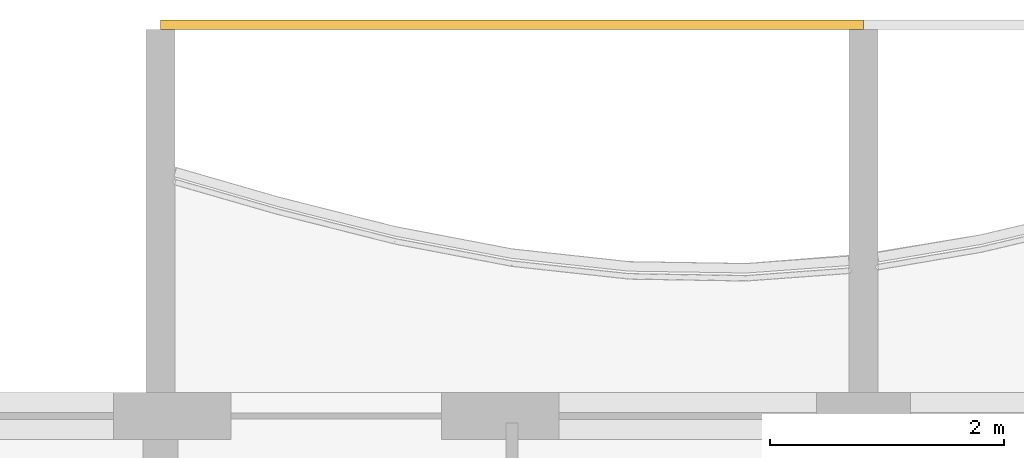
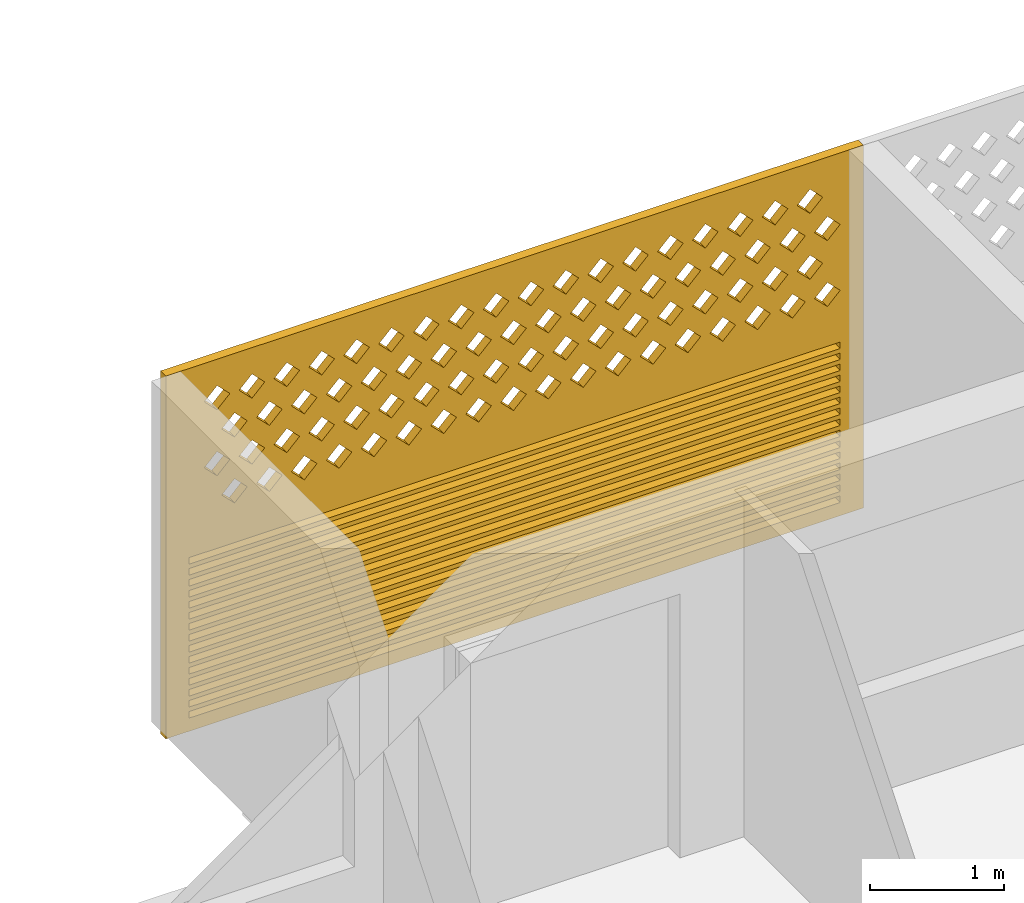
# One storey, part 21 of 33: 1 covering.
"""IFC4 building model written with IfcOpenShell, lengths in metres."""

import ifcopenshell
import ifcopenshell.guid

model = None  # the IFC model being written
_history = None  # IfcOwnerHistory: only IFC2X3 demands one
_inside = {}  # id of a spatial element -> (the spatial element, [elements in it])
_under = {}  # id of a project, library or spatial element -> (it, [spatial elements below it])
_declared = {}  # id of a project -> (the project, [libraries it declares])
_typed = {}  # id of a type object -> (the type object, [elements of that type])
_made_of = {}  # id of a material, layer set ... -> (it, [elements and type objects made of it])


def new_model(schema):
    """Start an empty IFC model of exactly this schema.

    Asked for "IFC4X3", IfcOpenShell would pick the latest addendum, in which some entities
    have other attributes; the version numbers below select the first issue.
    IFC2X3 requires an IfcOwnerHistory on every rooted entity: one is made here for all.
    """
    global model, _history
    if schema == "IFC4X3":
        model = ifcopenshell.file(schema_version=(4, 3, 0, 0))
    else:
        model = ifcopenshell.file(schema=schema)
    _inside.clear()
    _under.clear()
    _declared.clear()
    _typed.clear()
    _made_of.clear()
    _history = None
    if model.schema == "IFC2X3":
        org = make("IfcOrganization", Name="unknown")
        user = make(
            "IfcPersonAndOrganization",
            ThePerson=make("IfcPerson", FamilyName="unknown"),
            TheOrganization=org,
        )
        app = make(
            "IfcApplication",
            ApplicationDeveloper=org,
            Version="unknown",
            ApplicationFullName="unknown",
            ApplicationIdentifier="unknown",
        )
        _history = make(
            "IfcOwnerHistory",
            OwningUser=user,
            OwningApplication=app,
            ChangeAction="ADDED",
            CreationDate=0,
        )
    return model


def make(cls, **values):
    """One entity of the class cls with the attributes given. An attribute that is None is left unset."""
    return model.create_entity(
        cls, **{name: value for name, value in values.items() if value is not None}
    )


def rooted(cls, **values):
    """An entity with a GlobalId (a new one), such as an element, a storey or a relation."""
    return make(cls, GlobalId=ifcopenshell.guid.new(), OwnerHistory=_history, **values)


def si_unit(unit_type, name, prefix=None):
    """IfcSIUnit, for example si_unit("LENGTHUNIT", "METRE", prefix="MILLI")."""
    return make("IfcSIUnit", UnitType=unit_type, Prefix=prefix, Name=name)


def assignment(units):
    """IfcUnitAssignment: the units of a project."""
    return None if units is None else make("IfcUnitAssignment", Units=units)


def point(xyz):
    """IfcCartesianPoint."""
    return None if xyz is None else make("IfcCartesianPoint", Coordinates=xyz)


def direction(xyz):
    """IfcDirection."""
    return None if xyz is None else make("IfcDirection", DirectionRatios=xyz)


def frame(location, z_axis=None, x_axis=None):
    """IfcAxis2Placement3D, a coordinate frame: its origin and axes. An axis left out is left unset."""
    return make(
        "IfcAxis2Placement3D",
        Location=point(location),
        Axis=direction(z_axis),
        RefDirection=direction(x_axis),
    )


def origin():
    """The frame at (0, 0, 0) with its axes left unset."""
    return frame((0.0, 0.0, 0.0))


def place(relative_to, where):
    """IfcLocalPlacement: puts the frame where relative to a parent placement (None: the world)."""
    return make(
        "IfcLocalPlacement", PlacementRelTo=relative_to, RelativePlacement=where
    )


def context(
    kind, dimensions, precision=None, world=None, true_north=None, identifier=None
):
    """IfcGeometricRepresentationContext, for example the 3D "Model" context."""
    return make(
        "IfcGeometricRepresentationContext",
        ContextIdentifier=identifier,
        ContextType=kind,
        CoordinateSpaceDimension=dimensions,
        Precision=precision,
        WorldCoordinateSystem=world,
        TrueNorth=true_north,
    )


def subcontext(parent, identifier, kind, view, scale=None):
    """IfcGeometricRepresentationSubContext, for example "Body" below "Model"."""
    return make(
        "IfcGeometricRepresentationSubContext",
        ContextIdentifier=identifier,
        ContextType=kind,
        ParentContext=parent,
        TargetScale=scale,
        TargetView=view,
    )


def project(units=None, contexts=None):
    """IfcProject with its units and contexts."""
    return rooted(
        "IfcProject",
        Name="project",
        RepresentationContexts=contexts,
        UnitsInContext=assignment(units),
    )


def spatial(cls, under=None, at=None, **own):
    """A site, building, storey or space (cls), placed at a placement, below another one or the project."""
    s = rooted(cls, ObjectPlacement=at, **own)
    if under is not None:
        _under.setdefault(under.id(), (under, []))[1].append(s)
    return s


def polyline(points):
    """IfcPolyline through the points."""
    return make("IfcPolyline", Points=[point(p) for p in points])


def outline(outer, holes=None, kind="AREA"):
    """IfcArbitraryClosedProfileDef: a profile drawn as a closed curve; with holes, ...WithVoids."""
    if holes is None:
        return make("IfcArbitraryClosedProfileDef", ProfileType=kind, OuterCurve=outer)
    return make(
        "IfcArbitraryProfileDefWithVoids",
        ProfileType=kind,
        OuterCurve=outer,
        InnerCurves=holes,
    )


def extrude(swept, where, along, depth):
    """IfcExtrudedAreaSolid: the profile swept, set in the frame where, extruded along a direction by depth."""
    return make(
        "IfcExtrudedAreaSolid",
        SweptArea=swept,
        Position=where,
        ExtrudedDirection=direction(along),
        Depth=depth,
    )


def shape(context_of_items, identifier, shape_type, items):
    """IfcShapeRepresentation: the items that make up one representation, for example the "Body"."""
    return make(
        "IfcShapeRepresentation",
        ContextOfItems=context_of_items,
        RepresentationIdentifier=identifier,
        RepresentationType=shape_type,
        Items=items,
    )


def source(mapping_origin, context_of_items, identifier, shape_type, items):
    """IfcRepresentationMap: a shape defined once, which mapped items show again and again."""
    return make(
        "IfcRepresentationMap",
        MappingOrigin=mapping_origin,
        MappedRepresentation=shape(context_of_items, identifier, shape_type, items),
    )


def transform(
    local_origin,
    x_axis=None,
    y_axis=None,
    z_axis=None,
    scale=None,
    scale2=None,
    scale3=None,
    uniform=True,
):
    """IfcCartesianTransformationOperator3D, or its non-uniform kind. x_axis, y_axis, z_axis: its Axis1, 2, 3."""
    if uniform:
        return make(
            "IfcCartesianTransformationOperator3D",
            Axis1=direction(x_axis),
            Axis2=direction(y_axis),
            LocalOrigin=point(local_origin),
            Scale=scale,
            Axis3=direction(z_axis),
        )
    return make(
        "IfcCartesianTransformationOperator3DnonUniform",
        Axis1=direction(x_axis),
        Axis2=direction(y_axis),
        LocalOrigin=point(local_origin),
        Scale=scale,
        Axis3=direction(z_axis),
        Scale2=scale2,
        Scale3=scale3,
    )


def mapped(mapping_source, mapping_target):
    """IfcMappedItem: shows the shape of a source again, moved by a transform."""
    return make(
        "IfcMappedItem", MappingSource=mapping_source, MappingTarget=mapping_target
    )


def material(Name=None, Category=None):
    """IfcMaterial."""
    return make("IfcMaterial", Name=Name, Category=Category)


def material_profile(
    of_material, cross_section, Name=None, Category=None, Priority=None
):
    """IfcMaterialProfile: a cross section and its material."""
    return make(
        "IfcMaterialProfile",
        Name=Name,
        Material=of_material,
        Profile=cross_section,
        Priority=Priority,
        Category=Category,
    )


def profile_set(profiles, Name=None, composite=None):
    """IfcMaterialProfileSet."""
    return make(
        "IfcMaterialProfileSet",
        Name=Name,
        MaterialProfiles=profiles,
        CompositeProfile=composite,
    )


def made_of(thing, what):
    """Note that an element or type object is made of a material, layer set ...; save() writes the relation."""
    if what is not None:
        _made_of.setdefault(what.id(), (what, []))[1].append(thing)
    return thing


def type_object(cls, material=None, **own):
    """A type object (cls), such as IfcWallType, which elements share."""
    return made_of(rooted(cls, **own), material)


def element(
    cls,
    number,
    at=None,
    inside=None,
    cuts=None,
    type_object=None,
    material=None,
    context=None,
    identifier="Body",
    shape_type=None,
    held_by="IfcProductDefinitionShape",
    body=None,
    shapes=None,
    **own,
):
    """One element of the class cls, such as IfcWall. Its Tag is "e" and its number.

    at: its placement. inside: the storey or other place that contains it. cuts: it is an
    opening in that element (IfcRelVoidsElement). A single representation is given by context,
    identifier, shape_type and body (its items); several are given by shapes. held_by: the class
    of the entity that holds the representations. save() writes the other relations.
    """
    e = rooted(cls, Tag="e%d" % number, ObjectPlacement=at, **own)
    if body is not None:
        shapes = [shape(context, identifier, shape_type, body)]
    if shapes is not None:
        e.Representation = make(held_by, Representations=shapes)
    if inside is not None:
        _inside.setdefault(inside.id(), (inside, []))[1].append(e)
    if cuts is not None:
        rooted(
            "IfcRelVoidsElement", RelatingBuildingElement=cuts, RelatedOpeningElement=e
        )
    if type_object is not None:
        _typed.setdefault(type_object.id(), (type_object, []))[1].append(e)
    return made_of(e, material)


def aggregate(whole, parts):
    """IfcRelAggregates: a whole, such as a stair, and the parts it consists of."""
    return rooted("IfcRelAggregates", RelatingObject=whole, RelatedObjects=parts)


def save(model, path):
    """Write the relations noted so far, then the file.

    IfcRelAggregates (storeys below a building ...), IfcRelContainedInSpatialStructure (elements
    in a storey), IfcRelDefinesByType, IfcRelAssociatesMaterial and IfcRelDeclares: one each for
    every whole, place, type object, material and project.
    """
    for whole, parts in _under.values():
        aggregate(whole, parts)
    for where, things in _inside.values():
        rooted(
            "IfcRelContainedInSpatialStructure",
            RelatedElements=things,
            RelatingStructure=where,
        )
    for kind, things in _typed.values():
        rooted("IfcRelDefinesByType", RelatedObjects=things, RelatingType=kind)
    for what, things in _made_of.values():
        rooted("IfcRelAssociatesMaterial", RelatedObjects=things, RelatingMaterial=what)
    for by, libraries in _declared.values():
        rooted("IfcRelDeclares", RelatingContext=by, RelatedDefinitions=libraries)
    model.write(path)


model = new_model("IFC4")

# Units and contexts
model_context = context("Model", 3, precision=1e-05, world=origin(), true_north=direction((0.0, 1.0)))
body_context = subcontext(model_context, "Body", "Model", "MODEL_VIEW")
ifc_project = project(units=[si_unit("LENGTHUNIT", "METRE"), si_unit("AREAUNIT", "SQUARE_METRE"), si_unit("VOLUMEUNIT", "CUBIC_METRE"), si_unit("PLANEANGLEUNIT", "RADIAN"), si_unit("MASSUNIT", "GRAM", prefix="KILO")], contexts=[model_context])

# Site, building, storey
site_placement = place(None, origin())
site = spatial("IfcSite", under=ifc_project, at=site_placement, CompositionType="ELEMENT")
building_placement = place(site_placement, origin())
building = spatial("IfcBuilding", under=site, at=building_placement, Name="Poui Terraces", CompositionType="ELEMENT")
storey_placement = place(building_placement, frame((0.0, 0.0, 138.89990234375)))
storey = spatial("IfcBuildingStorey", under=building, at=storey_placement, Name="L38", CompositionType="ELEMENT", Elevation=138.89990234375)

# Covering
ifc_material = material(Name="Terracotta screen", Category="masonry")
ifc_material_profile = material_profile(ifc_material, outline(polyline([(-3.0, -1.64990234375), (3.0, -1.64990234375), (3.0, 1.64990234375), (-3.0, 1.64990234375), (-3.0, -1.64990234375)]), holes=[polyline([(-2.800048828125, 0.39990234375), (-2.68994140625, 0.2900390625), (-2.580078125, 0.39990234375), (-2.68994140625, 0.510009765625), (-2.800048828125, 0.39990234375)]), polyline([(-2.5, 0.39990234375), (-2.389892578125, 0.2900390625), (-2.280029296875, 0.39990234375), (-2.389892578125, 0.510009765625), (-2.5, 0.39990234375)]), polyline([(-2.199951171875, 0.39990234375), (-2.090087890625, 0.2900390625), (-1.97998046875, 0.39990234375), (-2.090087890625, 0.510009765625), (-2.199951171875, 0.39990234375)]), polyline([(-1.89990234375, 0.39990234375), (-1.7900390625, 0.2900390625), (-1.679931640625, 0.39990234375), (-1.7900390625, 0.510009765625), (-1.89990234375, 0.39990234375)]), polyline([(-1.60009765625, 0.39990234375), (-1.489990234375, 0.2900390625), (-1.3798828125, 0.39990234375), (-1.489990234375, 0.510009765625), (-1.60009765625, 0.39990234375)]), polyline([(-1.300048828125, 0.39990234375), (-1.18994140625, 0.2900390625), (-1.080078125, 0.39990234375), (-1.18994140625, 0.510009765625), (-1.300048828125, 0.39990234375)]), polyline([(-1.0, 0.39990234375), (-0.889892578125, 0.2900390625), (-0.780029296875, 0.39990234375), (-0.889892578125, 0.510009765625), (-1.0, 0.39990234375)]), polyline([(-0.699951171875, 0.39990234375), (-0.590087890625, 0.2900390625), (-0.47998046875, 0.39990234375), (-0.590087890625, 0.510009765625), (-0.699951171875, 0.39990234375)]), polyline([(-0.39990234375, 0.39990234375), (-0.2900390625, 0.2900390625), (-0.179931640625, 0.39990234375), (-0.2900390625, 0.510009765625), (-0.39990234375, 0.39990234375)]), polyline([(-0.10009765625, 0.39990234375), (0.010009765625, 0.2900390625), (0.1201171875, 0.39990234375), (0.010009765625, 0.510009765625), (-0.10009765625, 0.39990234375)]), polyline([(0.199951171875, 0.39990234375), (0.31005859375, 0.2900390625), (0.419921875, 0.39990234375), (0.31005859375, 0.510009765625), (0.199951171875, 0.39990234375)]), polyline([(0.5, 0.39990234375), (0.610107421875, 0.2900390625), (0.719970703125, 0.39990234375), (0.610107421875, 0.510009765625), (0.5, 0.39990234375)]), polyline([(0.800048828125, 0.39990234375), (0.909912109375, 0.2900390625), (1.02001953125, 0.39990234375), (0.909912109375, 0.510009765625), (0.800048828125, 0.39990234375)]), polyline([(1.10009765625, 0.39990234375), (1.2099609375, 0.2900390625), (1.320068359375, 0.39990234375), (1.2099609375, 0.510009765625), (1.10009765625, 0.39990234375)]), polyline([(1.39990234375, 0.39990234375), (1.510009765625, 0.2900390625), (1.6201171875, 0.39990234375), (1.510009765625, 0.510009765625), (1.39990234375, 0.39990234375)]), polyline([(1.699951171875, 0.39990234375), (1.81005859375, 0.2900390625), (1.919921875, 0.39990234375), (1.81005859375, 0.510009765625), (1.699951171875, 0.39990234375)]), polyline([(2.0, 0.39990234375), (2.110107421875, 0.2900390625), (2.219970703125, 0.39990234375), (2.110107421875, 0.510009765625), (2.0, 0.39990234375)]), polyline([(2.300048828125, 0.39990234375), (2.409912109375, 0.2900390625), (2.52001953125, 0.39990234375), (2.409912109375, 0.510009765625), (2.300048828125, 0.39990234375)]), polyline([(-2.64990234375, 0.699951171875), (-2.5400390625, 0.590087890625), (-2.429931640625, 0.699951171875), (-2.5400390625, 0.81005859375), (-2.64990234375, 0.699951171875)]), polyline([(-2.35009765625, 0.699951171875), (-2.239990234375, 0.590087890625), (-2.1298828125, 0.699951171875), (-2.239990234375, 0.81005859375), (-2.35009765625, 0.699951171875)]), polyline([(-2.050048828125, 0.699951171875), (-1.93994140625, 0.590087890625), (-1.830078125, 0.699951171875), (-1.93994140625, 0.81005859375), (-2.050048828125, 0.699951171875)]), polyline([(-1.75, 0.699951171875), (-1.639892578125, 0.590087890625), (-1.530029296875, 0.699951171875), (-1.639892578125, 0.81005859375), (-1.75, 0.699951171875)]), polyline([(-1.449951171875, 0.699951171875), (-1.340087890625, 0.590087890625), (-1.22998046875, 0.699951171875), (-1.340087890625, 0.81005859375), (-1.449951171875, 0.699951171875)]), polyline([(-1.14990234375, 0.699951171875), (-1.0400390625, 0.590087890625), (-0.929931640625, 0.699951171875), (-1.0400390625, 0.81005859375), (-1.14990234375, 0.699951171875)]), polyline([(-0.85009765625, 0.699951171875), (-0.739990234375, 0.590087890625), (-0.6298828125, 0.699951171875), (-0.739990234375, 0.81005859375), (-0.85009765625, 0.699951171875)]), polyline([(-0.550048828125, 0.699951171875), (-0.43994140625, 0.590087890625), (-0.330078125, 0.699951171875), (-0.43994140625, 0.81005859375), (-0.550048828125, 0.699951171875)]), polyline([(-0.25, 0.699951171875), (-0.139892578125, 0.590087890625), (-0.030029296875, 0.699951171875), (-0.139892578125, 0.81005859375), (-0.25, 0.699951171875)]), polyline([(0.050048828125, 0.699951171875), (0.159912109375, 0.590087890625), (0.27001953125, 0.699951171875), (0.159912109375, 0.81005859375), (0.050048828125, 0.699951171875)]), polyline([(0.35009765625, 0.699951171875), (0.4599609375, 0.590087890625), (0.570068359375, 0.699951171875), (0.4599609375, 0.81005859375), (0.35009765625, 0.699951171875)]), polyline([(0.64990234375, 0.699951171875), (0.760009765625, 0.590087890625), (0.8701171875, 0.699951171875), (0.760009765625, 0.81005859375), (0.64990234375, 0.699951171875)]), polyline([(0.949951171875, 0.699951171875), (1.06005859375, 0.590087890625), (1.169921875, 0.699951171875), (1.06005859375, 0.81005859375), (0.949951171875, 0.699951171875)]), polyline([(1.25, 0.699951171875), (1.360107421875, 0.590087890625), (1.469970703125, 0.699951171875), (1.360107421875, 0.81005859375), (1.25, 0.699951171875)]), polyline([(1.550048828125, 0.699951171875), (1.659912109375, 0.590087890625), (1.77001953125, 0.699951171875), (1.659912109375, 0.81005859375), (1.550048828125, 0.699951171875)]), polyline([(1.85009765625, 0.699951171875), (1.9599609375, 0.590087890625), (2.070068359375, 0.699951171875), (1.9599609375, 0.81005859375), (1.85009765625, 0.699951171875)]), polyline([(2.14990234375, 0.699951171875), (2.260009765625, 0.590087890625), (2.3701171875, 0.699951171875), (2.260009765625, 0.81005859375), (2.14990234375, 0.699951171875)]), polyline([(2.449951171875, 0.699951171875), (2.56005859375, 0.590087890625), (2.669921875, 0.699951171875), (2.56005859375, 0.81005859375), (2.449951171875, 0.699951171875)]), polyline([(-2.800048828125, 1.0), (-2.68994140625, 0.889892578125), (-2.580078125, 1.0), (-2.68994140625, 1.110107421875), (-2.800048828125, 1.0)]), polyline([(-2.5, 1.0), (-2.389892578125, 0.889892578125), (-2.280029296875, 1.0), (-2.389892578125, 1.110107421875), (-2.5, 1.0)]), polyline([(-2.199951171875, 1.0), (-2.090087890625, 0.889892578125), (-1.97998046875, 1.0), (-2.090087890625, 1.110107421875), (-2.199951171875, 1.0)]), polyline([(-1.89990234375, 1.0), (-1.7900390625, 0.889892578125), (-1.679931640625, 1.0), (-1.7900390625, 1.110107421875), (-1.89990234375, 1.0)]), polyline([(-1.60009765625, 1.0), (-1.489990234375, 0.889892578125), (-1.3798828125, 1.0), (-1.489990234375, 1.110107421875), (-1.60009765625, 1.0)]), polyline([(-1.300048828125, 1.0), (-1.18994140625, 0.889892578125), (-1.080078125, 1.0), (-1.18994140625, 1.110107421875), (-1.300048828125, 1.0)]), polyline([(-1.0, 1.0), (-0.889892578125, 0.889892578125), (-0.780029296875, 1.0), (-0.889892578125, 1.110107421875), (-1.0, 1.0)]), polyline([(-0.699951171875, 1.0), (-0.590087890625, 0.889892578125), (-0.47998046875, 1.0), (-0.590087890625, 1.110107421875), (-0.699951171875, 1.0)]), polyline([(-0.39990234375, 1.0), (-0.2900390625, 0.889892578125), (-0.179931640625, 1.0), (-0.2900390625, 1.110107421875), (-0.39990234375, 1.0)]), polyline([(-0.10009765625, 1.0), (0.010009765625, 0.889892578125), (0.1201171875, 1.0), (0.010009765625, 1.110107421875), (-0.10009765625, 1.0)]), polyline([(0.199951171875, 1.0), (0.31005859375, 0.889892578125), (0.419921875, 1.0), (0.31005859375, 1.110107421875), (0.199951171875, 1.0)]), polyline([(0.5, 1.0), (0.610107421875, 0.889892578125), (0.719970703125, 1.0), (0.610107421875, 1.110107421875), (0.5, 1.0)]), polyline([(0.800048828125, 1.0), (0.909912109375, 0.889892578125), (1.02001953125, 1.0), (0.909912109375, 1.110107421875), (0.800048828125, 1.0)]), polyline([(1.10009765625, 1.0), (1.2099609375, 0.889892578125), (1.320068359375, 1.0), (1.2099609375, 1.110107421875), (1.10009765625, 1.0)]), polyline([(1.39990234375, 1.0), (1.510009765625, 0.889892578125), (1.6201171875, 1.0), (1.510009765625, 1.110107421875), (1.39990234375, 1.0)]), polyline([(1.699951171875, 1.0), (1.81005859375, 0.889892578125), (1.919921875, 1.0), (1.81005859375, 1.110107421875), (1.699951171875, 1.0)]), polyline([(2.0, 1.0), (2.110107421875, 0.889892578125), (2.219970703125, 1.0), (2.110107421875, 1.110107421875), (2.0, 1.0)]), polyline([(2.300048828125, 1.0), (2.409912109375, 0.889892578125), (2.52001953125, 1.0), (2.409912109375, 1.110107421875), (2.300048828125, 1.0)]), polyline([(-2.64990234375, 1.300048828125), (-2.5400390625, 1.18994140625), (-2.429931640625, 1.300048828125), (-2.5400390625, 1.409912109375), (-2.64990234375, 1.300048828125)]), polyline([(-2.35009765625, 1.300048828125), (-2.239990234375, 1.18994140625), (-2.1298828125, 1.300048828125), (-2.239990234375, 1.409912109375), (-2.35009765625, 1.300048828125)]), polyline([(-2.050048828125, 1.300048828125), (-1.93994140625, 1.18994140625), (-1.830078125, 1.300048828125), (-1.93994140625, 1.409912109375), (-2.050048828125, 1.300048828125)]), polyline([(-1.75, 1.300048828125), (-1.639892578125, 1.18994140625), (-1.530029296875, 1.300048828125), (-1.639892578125, 1.409912109375), (-1.75, 1.300048828125)]), polyline([(-1.449951171875, 1.300048828125), (-1.340087890625, 1.18994140625), (-1.22998046875, 1.300048828125), (-1.340087890625, 1.409912109375), (-1.449951171875, 1.300048828125)]), polyline([(-1.14990234375, 1.300048828125), (-1.0400390625, 1.18994140625), (-0.929931640625, 1.300048828125), (-1.0400390625, 1.409912109375), (-1.14990234375, 1.300048828125)]), polyline([(-0.85009765625, 1.300048828125), (-0.739990234375, 1.18994140625), (-0.6298828125, 1.300048828125), (-0.739990234375, 1.409912109375), (-0.85009765625, 1.300048828125)]), polyline([(-0.550048828125, 1.300048828125), (-0.43994140625, 1.18994140625), (-0.330078125, 1.300048828125), (-0.43994140625, 1.409912109375), (-0.550048828125, 1.300048828125)]), polyline([(-0.25, 1.300048828125), (-0.139892578125, 1.18994140625), (-0.030029296875, 1.300048828125), (-0.139892578125, 1.409912109375), (-0.25, 1.300048828125)]), polyline([(0.050048828125, 1.300048828125), (0.159912109375, 1.18994140625), (0.27001953125, 1.300048828125), (0.159912109375, 1.409912109375), (0.050048828125, 1.300048828125)]), polyline([(0.35009765625, 1.300048828125), (0.4599609375, 1.18994140625), (0.570068359375, 1.300048828125), (0.4599609375, 1.409912109375), (0.35009765625, 1.300048828125)]), polyline([(0.64990234375, 1.300048828125), (0.760009765625, 1.18994140625), (0.8701171875, 1.300048828125), (0.760009765625, 1.409912109375), (0.64990234375, 1.300048828125)]), polyline([(0.949951171875, 1.300048828125), (1.06005859375, 1.18994140625), (1.169921875, 1.300048828125), (1.06005859375, 1.409912109375), (0.949951171875, 1.300048828125)]), polyline([(1.25, 1.300048828125), (1.360107421875, 1.18994140625), (1.469970703125, 1.300048828125), (1.360107421875, 1.409912109375), (1.25, 1.300048828125)]), polyline([(1.550048828125, 1.300048828125), (1.659912109375, 1.18994140625), (1.77001953125, 1.300048828125), (1.659912109375, 1.409912109375), (1.550048828125, 1.300048828125)]), polyline([(1.85009765625, 1.300048828125), (1.9599609375, 1.18994140625), (2.070068359375, 1.300048828125), (1.9599609375, 1.409912109375), (1.85009765625, 1.300048828125)]), polyline([(2.14990234375, 1.300048828125), (2.260009765625, 1.18994140625), (2.3701171875, 1.300048828125), (2.260009765625, 1.409912109375), (2.14990234375, 1.300048828125)]), polyline([(2.449951171875, 1.300048828125), (2.56005859375, 1.18994140625), (2.669921875, 1.300048828125), (2.56005859375, 1.409912109375), (2.449951171875, 1.300048828125)]), polyline([(-2.800048828125, -1.530029296875), (2.800048828125, -1.530029296875), (2.800048828125, -1.469970703125), (-2.800048828125, -1.469970703125), (-2.800048828125, -1.530029296875)]), polyline([(-2.800048828125, -1.429931640625), (2.800048828125, -1.429931640625), (2.800048828125, -1.3701171875), (-2.800048828125, -1.3701171875), (-2.800048828125, -1.429931640625)]), polyline([(-2.800048828125, -1.330078125), (2.800048828125, -1.330078125), (2.800048828125, -1.27001953125), (-2.800048828125, -1.27001953125), (-2.800048828125, -1.330078125)]), polyline([(-2.800048828125, -1.22998046875), (2.800048828125, -1.22998046875), (2.800048828125, -1.169921875), (-2.800048828125, -1.169921875), (-2.800048828125, -1.22998046875)]), polyline([(-2.800048828125, -1.1298828125), (2.800048828125, -1.1298828125), (2.800048828125, -1.070068359375), (-2.800048828125, -1.070068359375), (-2.800048828125, -1.1298828125)]), polyline([(-2.800048828125, -1.030029296875), (2.800048828125, -1.030029296875), (2.800048828125, -0.969970703125), (-2.800048828125, -0.969970703125), (-2.800048828125, -1.030029296875)]), polyline([(-2.800048828125, -0.929931640625), (2.800048828125, -0.929931640625), (2.800048828125, -0.8701171875), (-2.800048828125, -0.8701171875), (-2.800048828125, -0.929931640625)]), polyline([(-2.800048828125, -0.830078125), (2.800048828125, -0.830078125), (2.800048828125, -0.77001953125), (-2.800048828125, -0.77001953125), (-2.800048828125, -0.830078125)]), polyline([(-2.800048828125, -0.72998046875), (2.800048828125, -0.72998046875), (2.800048828125, -0.669921875), (-2.800048828125, -0.669921875), (-2.800048828125, -0.72998046875)]), polyline([(-2.800048828125, -0.6298828125), (2.800048828125, -0.6298828125), (2.800048828125, -0.570068359375), (-2.800048828125, -0.570068359375), (-2.800048828125, -0.6298828125)]), polyline([(-2.800048828125, -0.530029296875), (2.800048828125, -0.530029296875), (2.800048828125, -0.469970703125), (-2.800048828125, -0.469970703125), (-2.800048828125, -0.530029296875)]), polyline([(-2.800048828125, -0.429931640625), (2.800048828125, -0.429931640625), (2.800048828125, -0.3701171875), (-2.800048828125, -0.3701171875), (-2.800048828125, -0.429931640625)]), polyline([(-2.800048828125, -0.330078125), (2.800048828125, -0.330078125), (2.800048828125, -0.27001953125), (-2.800048828125, -0.27001953125), (-2.800048828125, -0.330078125)]), polyline([(-2.800048828125, -0.22998046875), (2.800048828125, -0.22998046875), (2.800048828125, -0.169921875), (-2.800048828125, -0.169921875), (-2.800048828125, -0.22998046875)]), polyline([(-2.800048828125, -0.1298828125), (2.800048828125, -0.1298828125), (2.800048828125, -0.070068359375), (-2.800048828125, -0.070068359375), (-2.800048828125, -0.1298828125)])]), Name="TERRACOTTA SCREEN AND JALOUSIE LOUVRE 6000X3300")
ifc_profile_set = profile_set([ifc_material_profile], Name="Terracotta screen")
covering_type = type_object("IfcCoveringType", Name="TERRACOTTA SCREEN AND JALOUSIE LOUVRE 6000X3300", PredefinedType="CLADDING", material=ifc_profile_set)
shared_shape = source(origin(), body_context, "Body", "SweptSolid", [
    extrude(outline(polyline([(-3.0, -1.64990234375), (3.0, -1.64990234375), (3.0, 1.64990234375), (-3.0, 1.64990234375), (-3.0, -1.64990234375)]), holes=[polyline([(-2.800048828125, 0.39990234375), (-2.68994140625, 0.2900390625), (-2.580078125, 0.39990234375), (-2.68994140625, 0.510009765625), (-2.800048828125, 0.39990234375)]), polyline([(-2.5, 0.39990234375), (-2.389892578125, 0.2900390625), (-2.280029296875, 0.39990234375), (-2.389892578125, 0.510009765625), (-2.5, 0.39990234375)]), polyline([(-2.199951171875, 0.39990234375), (-2.090087890625, 0.2900390625), (-1.97998046875, 0.39990234375), (-2.090087890625, 0.510009765625), (-2.199951171875, 0.39990234375)]), polyline([(-1.89990234375, 0.39990234375), (-1.7900390625, 0.2900390625), (-1.679931640625, 0.39990234375), (-1.7900390625, 0.510009765625), (-1.89990234375, 0.39990234375)]), polyline([(-1.60009765625, 0.39990234375), (-1.489990234375, 0.2900390625), (-1.3798828125, 0.39990234375), (-1.489990234375, 0.510009765625), (-1.60009765625, 0.39990234375)]), polyline([(-1.300048828125, 0.39990234375), (-1.18994140625, 0.2900390625), (-1.080078125, 0.39990234375), (-1.18994140625, 0.510009765625), (-1.300048828125, 0.39990234375)]), polyline([(-1.0, 0.39990234375), (-0.889892578125, 0.2900390625), (-0.780029296875, 0.39990234375), (-0.889892578125, 0.510009765625), (-1.0, 0.39990234375)]), polyline([(-0.699951171875, 0.39990234375), (-0.590087890625, 0.2900390625), (-0.47998046875, 0.39990234375), (-0.590087890625, 0.510009765625), (-0.699951171875, 0.39990234375)]), polyline([(-0.39990234375, 0.39990234375), (-0.2900390625, 0.2900390625), (-0.179931640625, 0.39990234375), (-0.2900390625, 0.510009765625), (-0.39990234375, 0.39990234375)]), polyline([(-0.10009765625, 0.39990234375), (0.010009765625, 0.2900390625), (0.1201171875, 0.39990234375), (0.010009765625, 0.510009765625), (-0.10009765625, 0.39990234375)]), polyline([(0.199951171875, 0.39990234375), (0.31005859375, 0.2900390625), (0.419921875, 0.39990234375), (0.31005859375, 0.510009765625), (0.199951171875, 0.39990234375)]), polyline([(0.5, 0.39990234375), (0.610107421875, 0.2900390625), (0.719970703125, 0.39990234375), (0.610107421875, 0.510009765625), (0.5, 0.39990234375)]), polyline([(0.800048828125, 0.39990234375), (0.909912109375, 0.2900390625), (1.02001953125, 0.39990234375), (0.909912109375, 0.510009765625), (0.800048828125, 0.39990234375)]), polyline([(1.10009765625, 0.39990234375), (1.2099609375, 0.2900390625), (1.320068359375, 0.39990234375), (1.2099609375, 0.510009765625), (1.10009765625, 0.39990234375)]), polyline([(1.39990234375, 0.39990234375), (1.510009765625, 0.2900390625), (1.6201171875, 0.39990234375), (1.510009765625, 0.510009765625), (1.39990234375, 0.39990234375)]), polyline([(1.699951171875, 0.39990234375), (1.81005859375, 0.2900390625), (1.919921875, 0.39990234375), (1.81005859375, 0.510009765625), (1.699951171875, 0.39990234375)]), polyline([(2.0, 0.39990234375), (2.110107421875, 0.2900390625), (2.219970703125, 0.39990234375), (2.110107421875, 0.510009765625), (2.0, 0.39990234375)]), polyline([(2.300048828125, 0.39990234375), (2.409912109375, 0.2900390625), (2.52001953125, 0.39990234375), (2.409912109375, 0.510009765625), (2.300048828125, 0.39990234375)]), polyline([(-2.64990234375, 0.699951171875), (-2.5400390625, 0.590087890625), (-2.429931640625, 0.699951171875), (-2.5400390625, 0.81005859375), (-2.64990234375, 0.699951171875)]), polyline([(-2.35009765625, 0.699951171875), (-2.239990234375, 0.590087890625), (-2.1298828125, 0.699951171875), (-2.239990234375, 0.81005859375), (-2.35009765625, 0.699951171875)]), polyline([(-2.050048828125, 0.699951171875), (-1.93994140625, 0.590087890625), (-1.830078125, 0.699951171875), (-1.93994140625, 0.81005859375), (-2.050048828125, 0.699951171875)]), polyline([(-1.75, 0.699951171875), (-1.639892578125, 0.590087890625), (-1.530029296875, 0.699951171875), (-1.639892578125, 0.81005859375), (-1.75, 0.699951171875)]), polyline([(-1.449951171875, 0.699951171875), (-1.340087890625, 0.590087890625), (-1.22998046875, 0.699951171875), (-1.340087890625, 0.81005859375), (-1.449951171875, 0.699951171875)]), polyline([(-1.14990234375, 0.699951171875), (-1.0400390625, 0.590087890625), (-0.929931640625, 0.699951171875), (-1.0400390625, 0.81005859375), (-1.14990234375, 0.699951171875)]), polyline([(-0.85009765625, 0.699951171875), (-0.739990234375, 0.590087890625), (-0.6298828125, 0.699951171875), (-0.739990234375, 0.81005859375), (-0.85009765625, 0.699951171875)]), polyline([(-0.550048828125, 0.699951171875), (-0.43994140625, 0.590087890625), (-0.330078125, 0.699951171875), (-0.43994140625, 0.81005859375), (-0.550048828125, 0.699951171875)]), polyline([(-0.25, 0.699951171875), (-0.139892578125, 0.590087890625), (-0.030029296875, 0.699951171875), (-0.139892578125, 0.81005859375), (-0.25, 0.699951171875)]), polyline([(0.050048828125, 0.699951171875), (0.159912109375, 0.590087890625), (0.27001953125, 0.699951171875), (0.159912109375, 0.81005859375), (0.050048828125, 0.699951171875)]), polyline([(0.35009765625, 0.699951171875), (0.4599609375, 0.590087890625), (0.570068359375, 0.699951171875), (0.4599609375, 0.81005859375), (0.35009765625, 0.699951171875)]), polyline([(0.64990234375, 0.699951171875), (0.760009765625, 0.590087890625), (0.8701171875, 0.699951171875), (0.760009765625, 0.81005859375), (0.64990234375, 0.699951171875)]), polyline([(0.949951171875, 0.699951171875), (1.06005859375, 0.590087890625), (1.169921875, 0.699951171875), (1.06005859375, 0.81005859375), (0.949951171875, 0.699951171875)]), polyline([(1.25, 0.699951171875), (1.360107421875, 0.590087890625), (1.469970703125, 0.699951171875), (1.360107421875, 0.81005859375), (1.25, 0.699951171875)]), polyline([(1.550048828125, 0.699951171875), (1.659912109375, 0.590087890625), (1.77001953125, 0.699951171875), (1.659912109375, 0.81005859375), (1.550048828125, 0.699951171875)]), polyline([(1.85009765625, 0.699951171875), (1.9599609375, 0.590087890625), (2.070068359375, 0.699951171875), (1.9599609375, 0.81005859375), (1.85009765625, 0.699951171875)]), polyline([(2.14990234375, 0.699951171875), (2.260009765625, 0.590087890625), (2.3701171875, 0.699951171875), (2.260009765625, 0.81005859375), (2.14990234375, 0.699951171875)]), polyline([(2.449951171875, 0.699951171875), (2.56005859375, 0.590087890625), (2.669921875, 0.699951171875), (2.56005859375, 0.81005859375), (2.449951171875, 0.699951171875)]), polyline([(-2.800048828125, 1.0), (-2.68994140625, 0.889892578125), (-2.580078125, 1.0), (-2.68994140625, 1.110107421875), (-2.800048828125, 1.0)]), polyline([(-2.5, 1.0), (-2.389892578125, 0.889892578125), (-2.280029296875, 1.0), (-2.389892578125, 1.110107421875), (-2.5, 1.0)]), polyline([(-2.199951171875, 1.0), (-2.090087890625, 0.889892578125), (-1.97998046875, 1.0), (-2.090087890625, 1.110107421875), (-2.199951171875, 1.0)]), polyline([(-1.89990234375, 1.0), (-1.7900390625, 0.889892578125), (-1.679931640625, 1.0), (-1.7900390625, 1.110107421875), (-1.89990234375, 1.0)]), polyline([(-1.60009765625, 1.0), (-1.489990234375, 0.889892578125), (-1.3798828125, 1.0), (-1.489990234375, 1.110107421875), (-1.60009765625, 1.0)]), polyline([(-1.300048828125, 1.0), (-1.18994140625, 0.889892578125), (-1.080078125, 1.0), (-1.18994140625, 1.110107421875), (-1.300048828125, 1.0)]), polyline([(-1.0, 1.0), (-0.889892578125, 0.889892578125), (-0.780029296875, 1.0), (-0.889892578125, 1.110107421875), (-1.0, 1.0)]), polyline([(-0.699951171875, 1.0), (-0.590087890625, 0.889892578125), (-0.47998046875, 1.0), (-0.590087890625, 1.110107421875), (-0.699951171875, 1.0)]), polyline([(-0.39990234375, 1.0), (-0.2900390625, 0.889892578125), (-0.179931640625, 1.0), (-0.2900390625, 1.110107421875), (-0.39990234375, 1.0)]), polyline([(-0.10009765625, 1.0), (0.010009765625, 0.889892578125), (0.1201171875, 1.0), (0.010009765625, 1.110107421875), (-0.10009765625, 1.0)]), polyline([(0.199951171875, 1.0), (0.31005859375, 0.889892578125), (0.419921875, 1.0), (0.31005859375, 1.110107421875), (0.199951171875, 1.0)]), polyline([(0.5, 1.0), (0.610107421875, 0.889892578125), (0.719970703125, 1.0), (0.610107421875, 1.110107421875), (0.5, 1.0)]), polyline([(0.800048828125, 1.0), (0.909912109375, 0.889892578125), (1.02001953125, 1.0), (0.909912109375, 1.110107421875), (0.800048828125, 1.0)]), polyline([(1.10009765625, 1.0), (1.2099609375, 0.889892578125), (1.320068359375, 1.0), (1.2099609375, 1.110107421875), (1.10009765625, 1.0)]), polyline([(1.39990234375, 1.0), (1.510009765625, 0.889892578125), (1.6201171875, 1.0), (1.510009765625, 1.110107421875), (1.39990234375, 1.0)]), polyline([(1.699951171875, 1.0), (1.81005859375, 0.889892578125), (1.919921875, 1.0), (1.81005859375, 1.110107421875), (1.699951171875, 1.0)]), polyline([(2.0, 1.0), (2.110107421875, 0.889892578125), (2.219970703125, 1.0), (2.110107421875, 1.110107421875), (2.0, 1.0)]), polyline([(2.300048828125, 1.0), (2.409912109375, 0.889892578125), (2.52001953125, 1.0), (2.409912109375, 1.110107421875), (2.300048828125, 1.0)]), polyline([(-2.64990234375, 1.300048828125), (-2.5400390625, 1.18994140625), (-2.429931640625, 1.300048828125), (-2.5400390625, 1.409912109375), (-2.64990234375, 1.300048828125)]), polyline([(-2.35009765625, 1.300048828125), (-2.239990234375, 1.18994140625), (-2.1298828125, 1.300048828125), (-2.239990234375, 1.409912109375), (-2.35009765625, 1.300048828125)]), polyline([(-2.050048828125, 1.300048828125), (-1.93994140625, 1.18994140625), (-1.830078125, 1.300048828125), (-1.93994140625, 1.409912109375), (-2.050048828125, 1.300048828125)]), polyline([(-1.75, 1.300048828125), (-1.639892578125, 1.18994140625), (-1.530029296875, 1.300048828125), (-1.639892578125, 1.409912109375), (-1.75, 1.300048828125)]), polyline([(-1.449951171875, 1.300048828125), (-1.340087890625, 1.18994140625), (-1.22998046875, 1.300048828125), (-1.340087890625, 1.409912109375), (-1.449951171875, 1.300048828125)]), polyline([(-1.14990234375, 1.300048828125), (-1.0400390625, 1.18994140625), (-0.929931640625, 1.300048828125), (-1.0400390625, 1.409912109375), (-1.14990234375, 1.300048828125)]), polyline([(-0.85009765625, 1.300048828125), (-0.739990234375, 1.18994140625), (-0.6298828125, 1.300048828125), (-0.739990234375, 1.409912109375), (-0.85009765625, 1.300048828125)]), polyline([(-0.550048828125, 1.300048828125), (-0.43994140625, 1.18994140625), (-0.330078125, 1.300048828125), (-0.43994140625, 1.409912109375), (-0.550048828125, 1.300048828125)]), polyline([(-0.25, 1.300048828125), (-0.139892578125, 1.18994140625), (-0.030029296875, 1.300048828125), (-0.139892578125, 1.409912109375), (-0.25, 1.300048828125)]), polyline([(0.050048828125, 1.300048828125), (0.159912109375, 1.18994140625), (0.27001953125, 1.300048828125), (0.159912109375, 1.409912109375), (0.050048828125, 1.300048828125)]), polyline([(0.35009765625, 1.300048828125), (0.4599609375, 1.18994140625), (0.570068359375, 1.300048828125), (0.4599609375, 1.409912109375), (0.35009765625, 1.300048828125)]), polyline([(0.64990234375, 1.300048828125), (0.760009765625, 1.18994140625), (0.8701171875, 1.300048828125), (0.760009765625, 1.409912109375), (0.64990234375, 1.300048828125)]), polyline([(0.949951171875, 1.300048828125), (1.06005859375, 1.18994140625), (1.169921875, 1.300048828125), (1.06005859375, 1.409912109375), (0.949951171875, 1.300048828125)]), polyline([(1.25, 1.300048828125), (1.360107421875, 1.18994140625), (1.469970703125, 1.300048828125), (1.360107421875, 1.409912109375), (1.25, 1.300048828125)]), polyline([(1.550048828125, 1.300048828125), (1.659912109375, 1.18994140625), (1.77001953125, 1.300048828125), (1.659912109375, 1.409912109375), (1.550048828125, 1.300048828125)]), polyline([(1.85009765625, 1.300048828125), (1.9599609375, 1.18994140625), (2.070068359375, 1.300048828125), (1.9599609375, 1.409912109375), (1.85009765625, 1.300048828125)]), polyline([(2.14990234375, 1.300048828125), (2.260009765625, 1.18994140625), (2.3701171875, 1.300048828125), (2.260009765625, 1.409912109375), (2.14990234375, 1.300048828125)]), polyline([(2.449951171875, 1.300048828125), (2.56005859375, 1.18994140625), (2.669921875, 1.300048828125), (2.56005859375, 1.409912109375), (2.449951171875, 1.300048828125)]), polyline([(-2.800048828125, -1.530029296875), (2.800048828125, -1.530029296875), (2.800048828125, -1.469970703125), (-2.800048828125, -1.469970703125), (-2.800048828125, -1.530029296875)]), polyline([(-2.800048828125, -1.429931640625), (2.800048828125, -1.429931640625), (2.800048828125, -1.3701171875), (-2.800048828125, -1.3701171875), (-2.800048828125, -1.429931640625)]), polyline([(-2.800048828125, -1.330078125), (2.800048828125, -1.330078125), (2.800048828125, -1.27001953125), (-2.800048828125, -1.27001953125), (-2.800048828125, -1.330078125)]), polyline([(-2.800048828125, -1.22998046875), (2.800048828125, -1.22998046875), (2.800048828125, -1.169921875), (-2.800048828125, -1.169921875), (-2.800048828125, -1.22998046875)]), polyline([(-2.800048828125, -1.1298828125), (2.800048828125, -1.1298828125), (2.800048828125, -1.070068359375), (-2.800048828125, -1.070068359375), (-2.800048828125, -1.1298828125)]), polyline([(-2.800048828125, -1.030029296875), (2.800048828125, -1.030029296875), (2.800048828125, -0.969970703125), (-2.800048828125, -0.969970703125), (-2.800048828125, -1.030029296875)]), polyline([(-2.800048828125, -0.929931640625), (2.800048828125, -0.929931640625), (2.800048828125, -0.8701171875), (-2.800048828125, -0.8701171875), (-2.800048828125, -0.929931640625)]), polyline([(-2.800048828125, -0.830078125), (2.800048828125, -0.830078125), (2.800048828125, -0.77001953125), (-2.800048828125, -0.77001953125), (-2.800048828125, -0.830078125)]), polyline([(-2.800048828125, -0.72998046875), (2.800048828125, -0.72998046875), (2.800048828125, -0.669921875), (-2.800048828125, -0.669921875), (-2.800048828125, -0.72998046875)]), polyline([(-2.800048828125, -0.6298828125), (2.800048828125, -0.6298828125), (2.800048828125, -0.570068359375), (-2.800048828125, -0.570068359375), (-2.800048828125, -0.6298828125)]), polyline([(-2.800048828125, -0.530029296875), (2.800048828125, -0.530029296875), (2.800048828125, -0.469970703125), (-2.800048828125, -0.469970703125), (-2.800048828125, -0.530029296875)]), polyline([(-2.800048828125, -0.429931640625), (2.800048828125, -0.429931640625), (2.800048828125, -0.3701171875), (-2.800048828125, -0.3701171875), (-2.800048828125, -0.429931640625)]), polyline([(-2.800048828125, -0.330078125), (2.800048828125, -0.330078125), (2.800048828125, -0.27001953125), (-2.800048828125, -0.27001953125), (-2.800048828125, -0.330078125)]), polyline([(-2.800048828125, -0.22998046875), (2.800048828125, -0.22998046875), (2.800048828125, -0.169921875), (-2.800048828125, -0.169921875), (-2.800048828125, -0.22998046875)]), polyline([(-2.800048828125, -0.1298828125), (2.800048828125, -0.1298828125), (2.800048828125, -0.070068359375), (-2.800048828125, -0.070068359375), (-2.800048828125, -0.1298828125)])]), origin(), (0.0, 0.0, 1.0), 0.080078125),
])
covering_placement = place(storey_placement, frame((33.0, 45.699951171875, 1.4501953125), z_axis=(0.0, 1.0, 0.0), x_axis=(-1.0, 0.0, 0.0)))
element("IfcCovering", 1, at=covering_placement, inside=storey, type_object=covering_type, Name="SOLAR SCREEN AND JALOUSIE LOUVRE", PredefinedType="CLADDING", context=body_context, shape_type="MappedRepresentation", body=[
    mapped(shared_shape, transform((0.0, 0.0, 0.0))),
])

save(model, "model.ifc")
